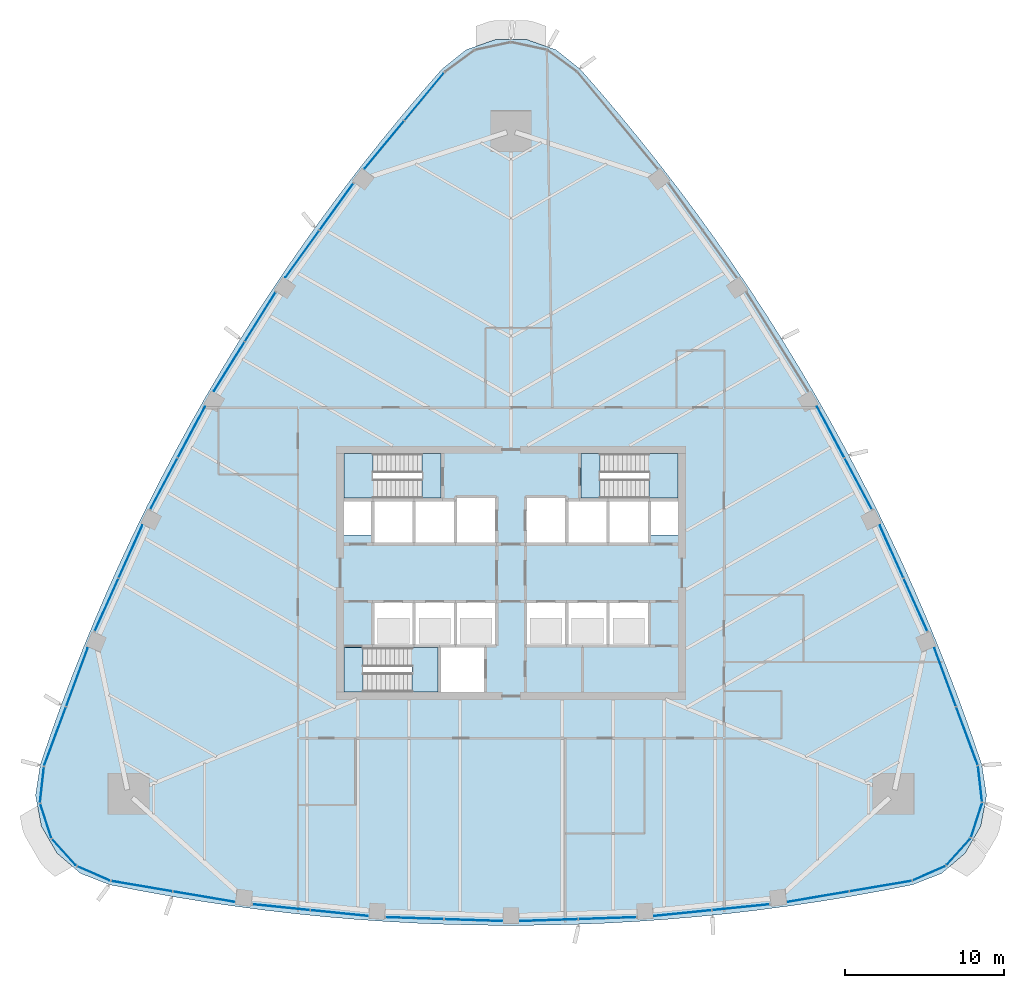
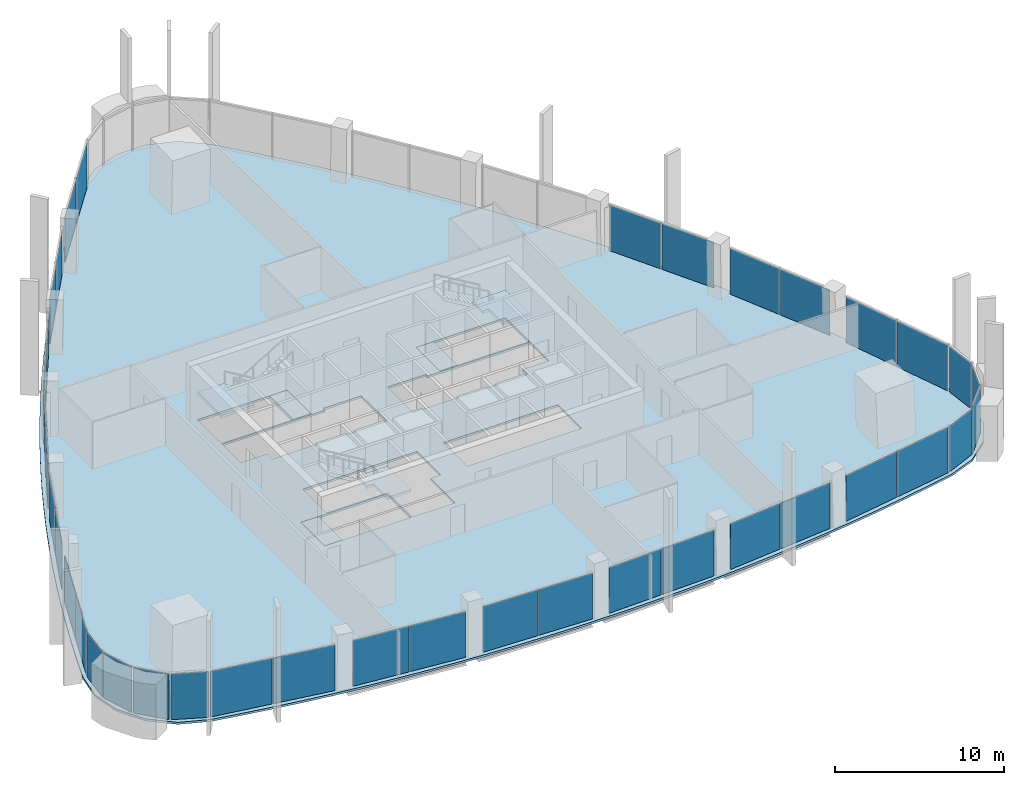
# One storey, part 8 of 20: 38 plates, 7 slabs, 26 elements without a shape of their own.
"""IFC4 building model written with IfcOpenShell, lengths in metres."""

from ifc_helpers import new_model, si_unit, direction, frame, origin, origin_2d, place, context, subcontext, project, spatial, polyline, rectangle, outline, extrude, material, layer, layer_set, type_object, element, aggregate, save


model = new_model("IFC4")

# Units and contexts
model_context = context("Model", 3, precision=1e-05, world=origin(), true_north=direction((0.0, 1.0)))
body_context = subcontext(model_context, "Body", "Model", "MODEL_VIEW")
ifc_project = project(units=[si_unit("LENGTHUNIT", "METRE"), si_unit("AREAUNIT", "SQUARE_METRE"), si_unit("VOLUMEUNIT", "CUBIC_METRE"), si_unit("PLANEANGLEUNIT", "RADIAN"), si_unit("MASSUNIT", "GRAM", prefix="KILO")], contexts=[model_context])

# Site, building, storey
site_placement = place(None, origin())
site = spatial("IfcSite", under=ifc_project, at=site_placement, CompositionType="ELEMENT")
building_placement = place(site_placement, origin())
building = spatial("IfcBuilding", under=site, at=building_placement, Name="Sierra Prisma Convention Tower", CompositionType="ELEMENT")
storey_placement = place(building_placement, frame((0.0, 0.0, 161.800048828125)))
storey = spatial("IfcBuildingStorey", under=building, at=storey_placement, Name="L35", CompositionType="ELEMENT", Elevation=161.800048828125)

# Curtain wall, plates
ifc_material_1 = material(Name="Aluminium and glass curtain wall", Category="aluminium")
ifc_layer_1 = layer(ifc_material_1, 0.179931640625)
ifc_layer_set_1 = layer_set([ifc_layer_1], Name="CW-1 Plain shaft curtain wall")
curtain_wall_type = type_object("IfcCurtainWallType", Name="CW-1 Plain shaft curtain wall", PredefinedType="NOTDEFINED", material=ifc_layer_set_1)
curtain_wall_1_placement = place(storey_placement, origin())
curtain_wall_1 = element("IfcCurtainWall", 1, at=curtain_wall_1_placement, inside=storey, type_object=curtain_wall_type, Name="CW-1 S1 L35", PredefinedType="NOTDEFINED")
ifc_material_2 = material(Name="Tinted glass bronze-grey IGU", Category="glass")
ifc_layer_2 = layer(ifc_material_2, 0.028076171875)
ifc_layer_set_2 = layer_set([ifc_layer_2], Name="CW-1 glass panel")
plate_type = type_object("IfcPlateType", Name="CW-1 glass panel", PredefinedType="CURTAIN_PANEL", material=ifc_layer_set_2)
plate_1_placement = place(storey_placement, frame((-23.224853515625, -19.7060546875, 0.0), z_axis=(0.0, 0.0, 1.0), x_axis=(0.985863940838, -0.167547874218, 0.0)))
plate_1 = element("IfcPlate", 2, at=plate_1_placement, type_object=plate_type, Name="CW-1 panel S1.1", PredefinedType="CURTAIN_PANEL", context=body_context, shape_type="SweptSolid", body=[
    extrude(rectangle(XDim=3.87353515625, YDim=0.028076171875, at=origin_2d()), origin(), (0.0, 0.0, 1.0), 3.280029296875),
])
plate_2_placement = place(storey_placement, frame((-19.337158203125, -20.366943359375, 0.0), z_axis=(0.0, 0.0, 1.0), x_axis=(0.985863940838, -0.167547874218, 0.0)))
plate_2 = element("IfcPlate", 3, at=plate_2_placement, type_object=plate_type, Name="CW-1 panel S1.2", PredefinedType="CURTAIN_PANEL", context=body_context, shape_type="SweptSolid", body=[
    extrude(rectangle(XDim=3.87353515625, YDim=0.028076171875, at=origin_2d()), origin(), (0.0, 0.0, 1.0), 3.280029296875),
])
aggregate(curtain_wall_1, [plate_1, plate_2])

curtain_wall_2_placement = place(storey_placement, origin())
curtain_wall_2 = element("IfcCurtainWall", 4, at=curtain_wall_2_placement, inside=storey, type_object=curtain_wall_type, Name="CW-1 S2 L35", PredefinedType="NOTDEFINED")
plate_3_placement = place(storey_placement, frame((-14.462890625, -21.030517578125, 0.0), z_axis=(0.0, 0.0, 1.0), x_axis=(0.994903318863, -0.100833457322, 0.0)))
plate_3 = element("IfcPlate", 5, at=plate_3_placement, type_object=plate_type, Name="CW-1 panel S2.1", PredefinedType="CURTAIN_PANEL", context=body_context, shape_type="SweptSolid", body=[
    extrude(rectangle(XDim=3.60107421875, YDim=0.028076171875, at=origin_2d()), origin(), (0.0, 0.0, 1.0), 3.280029296875),
])
plate_4_placement = place(storey_placement, frame((-10.810546875, -21.400634765625, 0.0), z_axis=(0.0, 0.0, 1.0), x_axis=(0.994903318863, -0.100833457322, 0.0)))
plate_4 = element("IfcPlate", 6, at=plate_4_placement, type_object=plate_type, Name="CW-1 panel S2.2", PredefinedType="CURTAIN_PANEL", context=body_context, shape_type="SweptSolid", body=[
    extrude(rectangle(XDim=3.60107421875, YDim=0.028076171875, at=origin_2d()), origin(), (0.0, 0.0, 1.0), 3.280029296875),
])
aggregate(curtain_wall_2, [plate_3, plate_4])

curtain_wall_3_placement = place(storey_placement, origin())
curtain_wall_3 = element("IfcCurtainWall", 7, at=curtain_wall_3_placement, inside=storey, type_object=curtain_wall_type, Name="CW-1 S3 L35", PredefinedType="NOTDEFINED")
plate_5_placement = place(storey_placement, frame((-6.062255859375, -21.72021484375, 0.0), z_axis=(0.0, 0.0, 1.0), x_axis=(0.999433273939, -0.033662010401, 0.0)))
plate_5 = element("IfcPlate", 8, at=plate_5_placement, type_object=plate_type, Name="CW-1 panel S3.1", PredefinedType="CURTAIN_PANEL", context=body_context, shape_type="SweptSolid", body=[
    extrude(rectangle(XDim=3.6171875, YDim=0.028076171875, at=origin_2d()), origin(), (0.0, 0.0, 1.0), 3.280029296875),
])
plate_6_placement = place(storey_placement, frame((-2.377197265625, -21.84423828125, 0.0), z_axis=(0.0, 0.0, 1.0), x_axis=(0.999433273939, -0.033662010401, 0.0)))
plate_6 = element("IfcPlate", 9, at=plate_6_placement, type_object=plate_type, Name="CW-1 panel S3.2", PredefinedType="CURTAIN_PANEL", context=body_context, shape_type="SweptSolid", body=[
    extrude(rectangle(XDim=3.6171875, YDim=0.028076171875, at=origin_2d()), origin(), (0.0, 0.0, 1.0), 3.280029296875),
])
aggregate(curtain_wall_3, [plate_5, plate_6])

curtain_wall_4_placement = place(storey_placement, origin())
curtain_wall_4 = element("IfcCurtainWall", 10, at=curtain_wall_4_placement, inside=storey, type_object=curtain_wall_type, Name="CW-1 S4 L35", PredefinedType="NOTDEFINED")
plate_7_placement = place(storey_placement, frame((2.377197265625, -21.84423828125, 0.0), z_axis=(0.0, 0.0, 1.0), x_axis=(0.999433273939, 0.033662010401, 0.0)))
plate_7 = element("IfcPlate", 11, at=plate_7_placement, type_object=plate_type, Name="CW-1 panel S4.1", PredefinedType="CURTAIN_PANEL", context=body_context, shape_type="SweptSolid", body=[
    extrude(rectangle(XDim=3.6171875, YDim=0.028076171875, at=origin_2d()), origin(), (0.0, 0.0, 1.0), 3.280029296875),
])
plate_8_placement = place(storey_placement, frame((6.062255859375, -21.72021484375, 0.0), z_axis=(0.0, 0.0, 1.0), x_axis=(0.999433273939, 0.033662010401, 0.0)))
plate_8 = element("IfcPlate", 12, at=plate_8_placement, type_object=plate_type, Name="CW-1 panel S4.2", PredefinedType="CURTAIN_PANEL", context=body_context, shape_type="SweptSolid", body=[
    extrude(rectangle(XDim=3.6171875, YDim=0.028076171875, at=origin_2d()), origin(), (0.0, 0.0, 1.0), 3.280029296875),
])
aggregate(curtain_wall_4, [plate_7, plate_8])

curtain_wall_5_placement = place(storey_placement, origin())
curtain_wall_5 = element("IfcCurtainWall", 13, at=curtain_wall_5_placement, inside=storey, type_object=curtain_wall_type, Name="CW-1 S5 L35", PredefinedType="NOTDEFINED")
plate_9_placement = place(storey_placement, frame((10.810546875, -21.400634765625, 0.0), z_axis=(0.0, 0.0, 1.0), x_axis=(0.994903318863, 0.100833457322, 0.0)))
plate_9 = element("IfcPlate", 14, at=plate_9_placement, type_object=plate_type, Name="CW-1 panel S5.1", PredefinedType="CURTAIN_PANEL", context=body_context, shape_type="SweptSolid", body=[
    extrude(rectangle(XDim=3.60107421875, YDim=0.028076171875, at=origin_2d()), origin(), (0.0, 0.0, 1.0), 3.280029296875),
])
plate_10_placement = place(storey_placement, frame((14.462890625, -21.030517578125, 0.0), z_axis=(0.0, 0.0, 1.0), x_axis=(0.994903318863, 0.100833457322, 0.0)))
plate_10 = element("IfcPlate", 15, at=plate_10_placement, type_object=plate_type, Name="CW-1 panel S5.2", PredefinedType="CURTAIN_PANEL", context=body_context, shape_type="SweptSolid", body=[
    extrude(rectangle(XDim=3.60107421875, YDim=0.028076171875, at=origin_2d()), origin(), (0.0, 0.0, 1.0), 3.280029296875),
])
aggregate(curtain_wall_5, [plate_9, plate_10])

curtain_wall_6_placement = place(storey_placement, origin())
curtain_wall_6 = element("IfcCurtainWall", 16, at=curtain_wall_6_placement, inside=storey, type_object=curtain_wall_type, Name="CW-1 S6 L35", PredefinedType="NOTDEFINED")
plate_11_placement = place(storey_placement, frame((19.337158203125, -20.366943359375, 0.0), z_axis=(0.0, 0.0, 1.0), x_axis=(0.985863940838, 0.167547874218, 0.0)))
plate_11 = element("IfcPlate", 17, at=plate_11_placement, type_object=plate_type, Name="CW-1 panel S6.1", PredefinedType="CURTAIN_PANEL", context=body_context, shape_type="SweptSolid", body=[
    extrude(rectangle(XDim=3.87353515625, YDim=0.028076171875, at=origin_2d()), origin(), (0.0, 0.0, 1.0), 3.280029296875),
])
plate_12_placement = place(storey_placement, frame((23.224853515625, -19.7060546875, 0.0), z_axis=(0.0, 0.0, 1.0), x_axis=(0.985863940838, 0.167547874218, 0.0)))
plate_12 = element("IfcPlate", 18, at=plate_12_placement, type_object=plate_type, Name="CW-1 panel S6.2", PredefinedType="CURTAIN_PANEL", context=body_context, shape_type="SweptSolid", body=[
    extrude(rectangle(XDim=3.87353515625, YDim=0.028076171875, at=origin_2d()), origin(), (0.0, 0.0, 1.0), 3.280029296875),
])
aggregate(curtain_wall_6, [plate_11, plate_12])

# Curtain wall, plate
curtain_wall_7_placement = place(storey_placement, origin())
curtain_wall_7 = element("IfcCurtainWall", 19, at=curtain_wall_7_placement, inside=storey, type_object=curtain_wall_type, Name="CW-1 SE1 L35", PredefinedType="NOTDEFINED")
plate_13_placement = place(storey_placement, frame((26.274658203125, -18.900146484375, 0.0), z_axis=(0.0, 0.0, 1.0), x_axis=(0.915797586437, 0.401640113381, 0.0)))
plate_13 = element("IfcPlate", 20, at=plate_13_placement, type_object=plate_type, Name="CW-1 panel SE1.1", PredefinedType="CURTAIN_PANEL", context=body_context, shape_type="SweptSolid", body=[
    extrude(rectangle(XDim=2.199951171875, YDim=0.028076171875, at=origin_2d()), origin(), (0.0, 0.0, 1.0), 3.280029296875),
])
aggregate(curtain_wall_7, [plate_13])

curtain_wall_8_placement = place(storey_placement, origin())
curtain_wall_8 = element("IfcCurtainWall", 21, at=curtain_wall_8_placement, inside=storey, type_object=curtain_wall_type, Name="CW-1 SE2 L35", PredefinedType="NOTDEFINED")
plate_14_placement = place(storey_placement, frame((28.130615234375, -17.56201171875, 0.0), z_axis=(0.0, 0.0, 1.0), x_axis=(0.670509710101, 0.741900753916, 0.0)))
plate_14 = element("IfcPlate", 22, at=plate_14_placement, type_object=plate_type, Name="CW-1 panel SE2.1", PredefinedType="CURTAIN_PANEL", context=body_context, shape_type="SweptSolid", body=[
    extrude(rectangle(XDim=2.199951171875, YDim=0.028076171875, at=origin_2d()), origin(), (0.0, 0.0, 1.0), 3.280029296875),
])
aggregate(curtain_wall_8, [plate_14])

curtain_wall_9_placement = place(storey_placement, origin())
curtain_wall_9 = element("IfcCurtainWall", 23, at=curtain_wall_9_placement, inside=storey, type_object=curtain_wall_type, Name="CW-1 SE3 L35", PredefinedType="NOTDEFINED")
plate_15_placement = place(storey_placement, frame((29.2744140625, -15.580810546875, 0.0), z_axis=(0.0, 0.0, 1.0), x_axis=(0.307250044928, 0.951628819389, 0.0)))
plate_15 = element("IfcPlate", 24, at=plate_15_placement, type_object=plate_type, Name="CW-1 panel SE3.1", PredefinedType="CURTAIN_PANEL", context=body_context, shape_type="SweptSolid", body=[
    extrude(rectangle(XDim=2.199951171875, YDim=0.028076171875, at=origin_2d()), origin(), (0.0, 0.0, 1.0), 3.280029296875),
])
aggregate(curtain_wall_9, [plate_15])

curtain_wall_10_placement = place(storey_placement, origin())
curtain_wall_10 = element("IfcCurtainWall", 25, at=curtain_wall_10_placement, inside=storey, type_object=curtain_wall_type, Name="CW-1 SE4 L35", PredefinedType="NOTDEFINED")
plate_16_placement = place(storey_placement, frame((29.505126953125, -13.304443359375, 0.0), z_axis=(0.0, 0.0, 1.0), x_axis=(-0.110068251851, 0.993924031269, 0.0)))
plate_16 = element("IfcPlate", 26, at=plate_16_placement, type_object=plate_type, Name="CW-1 panel SE4.1", PredefinedType="CURTAIN_PANEL", context=body_context, shape_type="SweptSolid", body=[
    extrude(rectangle(XDim=2.199951171875, YDim=0.028076171875, at=origin_2d()), origin(), (0.0, 0.0, 1.0), 3.280029296875),
])
aggregate(curtain_wall_10, [plate_16])

# Curtain wall, plates
curtain_wall_11_placement = place(storey_placement, origin())
curtain_wall_11 = element("IfcCurtainWall", 27, at=curtain_wall_11_placement, inside=storey, type_object=curtain_wall_type, Name="CW-1 NE1 L35", PredefinedType="NOTDEFINED")
plate_17_placement = place(storey_placement, frame((28.678466796875, -10.26025390625, 0.0), z_axis=(0.0, 0.0, 1.0), x_axis=(-0.347831254997, 0.93755715455, 0.0)))
plate_17 = element("IfcPlate", 28, at=plate_17_placement, type_object=plate_type, Name="CW-1 panel NE1.1", PredefinedType="CURTAIN_PANEL", context=body_context, shape_type="SweptSolid", body=[
    extrude(rectangle(XDim=3.87353515625, YDim=0.028076171875, at=origin_2d()), origin(), (0.0, 0.0, 1.0), 3.280029296875),
])
plate_18_placement = place(storey_placement, frame((27.306884765625, -6.56298828125, 0.0), z_axis=(0.0, 0.0, 1.0), x_axis=(-0.347831254997, 0.93755715455, 0.0)))
plate_18 = element("IfcPlate", 29, at=plate_18_placement, type_object=plate_type, Name="CW-1 panel NE1.2", PredefinedType="CURTAIN_PANEL", context=body_context, shape_type="SweptSolid", body=[
    extrude(rectangle(XDim=3.87353515625, YDim=0.028076171875, at=origin_2d()), origin(), (0.0, 0.0, 1.0), 3.280029296875),
])
aggregate(curtain_wall_11, [plate_17, plate_18])

curtain_wall_12_placement = place(storey_placement, origin())
curtain_wall_12 = element("IfcCurtainWall", 30, at=curtain_wall_12_placement, inside=storey, type_object=curtain_wall_type, Name="CW-1 NE2 L35", PredefinedType="NOTDEFINED")
plate_19_placement = place(storey_placement, frame((25.4443359375, -2.01025390625, 0.0), z_axis=(0.0, 0.0, 1.0), x_axis=(-0.410127323839, 0.912028277106, 0.0)))
plate_19 = element("IfcPlate", 31, at=plate_19_placement, type_object=plate_type, Name="CW-1 panel NE2.1", PredefinedType="CURTAIN_PANEL", context=body_context, shape_type="SweptSolid", body=[
    extrude(rectangle(XDim=3.60107421875, YDim=0.028076171875, at=origin_2d()), origin(), (0.0, 0.0, 1.0), 3.280029296875),
])
plate_20_placement = place(storey_placement, frame((23.938720703125, 1.338134765625, 0.0), z_axis=(0.0, 0.0, 1.0), x_axis=(-0.410127323839, 0.912028277106, 0.0)))
plate_20 = element("IfcPlate", 32, at=plate_20_placement, type_object=plate_type, Name="CW-1 panel NE2.2", PredefinedType="CURTAIN_PANEL", context=body_context, shape_type="SweptSolid", body=[
    extrude(rectangle(XDim=3.60107421875, YDim=0.028076171875, at=origin_2d()), origin(), (0.0, 0.0, 1.0), 3.280029296875),
])
aggregate(curtain_wall_12, [plate_19, plate_20])

curtain_wall_13_placement = place(storey_placement, origin())
curtain_wall_13 = element("IfcCurtainWall", 33, at=curtain_wall_13_placement, inside=storey, type_object=curtain_wall_type, Name="CW-1 NE3 L35", PredefinedType="NOTDEFINED")
plate_21_placement = place(storey_placement, frame((21.84130859375, 5.60986328125, 0.0), z_axis=(0.0, 0.0, 1.0), x_axis=(-0.47056448082, 0.882365609819, 0.0)))
plate_21 = element("IfcPlate", 34, at=plate_21_placement, type_object=plate_type, Name="CW-1 panel NE3.1", PredefinedType="CURTAIN_PANEL", context=body_context, shape_type="SweptSolid", body=[
    extrude(rectangle(XDim=3.6171875, YDim=0.028076171875, at=origin_2d()), origin(), (0.0, 0.0, 1.0), 3.280029296875),
])
plate_22_placement = place(storey_placement, frame((20.106201171875, 8.86328125, 0.0), z_axis=(0.0, 0.0, 1.0), x_axis=(-0.47056448082, 0.882365609819, 0.0)))
plate_22 = element("IfcPlate", 35, at=plate_22_placement, type_object=plate_type, Name="CW-1 panel NE3.2", PredefinedType="CURTAIN_PANEL", context=body_context, shape_type="SweptSolid", body=[
    extrude(rectangle(XDim=3.6171875, YDim=0.028076171875, at=origin_2d()), origin(), (0.0, 0.0, 1.0), 3.280029296875),
])
aggregate(curtain_wall_13, [plate_21, plate_22])

curtain_wall_14_placement = place(storey_placement, origin())
curtain_wall_14 = element("IfcCurtainWall", 36, at=curtain_wall_14_placement, inside=storey, type_object=curtain_wall_type, Name="CW-1 NW1 L35", PredefinedType="NOTDEFINED")
plate_23_placement = place(storey_placement, frame((-5.45361328125, 29.96630859375, 0.0), z_axis=(0.0, 0.0, 1.0), x_axis=(-0.638032685842, -0.770009280332, 0.0)))
plate_23 = element("IfcPlate", 37, at=plate_23_placement, type_object=plate_type, Name="CW-1 panel NW1.1", PredefinedType="CURTAIN_PANEL", context=body_context, shape_type="SweptSolid", body=[
    extrude(rectangle(XDim=3.87353515625, YDim=0.028076171875, at=origin_2d()), origin(), (0.0, 0.0, 1.0), 3.280029296875),
])
plate_24_placement = place(storey_placement, frame((-7.9697265625, 26.929931640625, 0.0), z_axis=(0.0, 0.0, 1.0), x_axis=(-0.638032685842, -0.770009280332, 0.0)))
plate_24 = element("IfcPlate", 38, at=plate_24_placement, type_object=plate_type, Name="CW-1 panel NW1.2", PredefinedType="CURTAIN_PANEL", context=body_context, shape_type="SweptSolid", body=[
    extrude(rectangle(XDim=3.87353515625, YDim=0.028076171875, at=origin_2d()), origin(), (0.0, 0.0, 1.0), 3.280029296875),
])
aggregate(curtain_wall_14, [plate_23, plate_24])

curtain_wall_15_placement = place(storey_placement, origin())
curtain_wall_15 = element("IfcCurtainWall", 39, at=curtain_wall_15_placement, inside=storey, type_object=curtain_wall_type, Name="CW-1 NW2 L35", PredefinedType="NOTDEFINED")
plate_25_placement = place(storey_placement, frame((-10.9814453125, 23.04052734375, 0.0), z_axis=(0.0, 0.0, 1.0), x_axis=(-0.584775995024, -0.811194819784, 0.0)))
plate_25 = element("IfcPlate", 40, at=plate_25_placement, type_object=plate_type, Name="CW-1 panel NW2.1", PredefinedType="CURTAIN_PANEL", context=body_context, shape_type="SweptSolid", body=[
    extrude(rectangle(XDim=3.60107421875, YDim=0.028076171875, at=origin_2d()), origin(), (0.0, 0.0, 1.0), 3.280029296875),
])
plate_26_placement = place(storey_placement, frame((-13.128173828125, 20.0625, 0.0), z_axis=(0.0, 0.0, 1.0), x_axis=(-0.584775995024, -0.811194819784, 0.0)))
plate_26 = element("IfcPlate", 41, at=plate_26_placement, type_object=plate_type, Name="CW-1 panel NW2.2", PredefinedType="CURTAIN_PANEL", context=body_context, shape_type="SweptSolid", body=[
    extrude(rectangle(XDim=3.60107421875, YDim=0.028076171875, at=origin_2d()), origin(), (0.0, 0.0, 1.0), 3.280029296875),
])
aggregate(curtain_wall_15, [plate_25, plate_26])

curtain_wall_16_placement = place(storey_placement, origin())
curtain_wall_16 = element("IfcCurtainWall", 42, at=curtain_wall_16_placement, inside=storey, type_object=curtain_wall_type, Name="CW-1 NW3 L35", PredefinedType="NOTDEFINED")
plate_27_placement = place(storey_placement, frame((-15.779052734375, 16.110107421875, 0.0), z_axis=(0.0, 0.0, 1.0), x_axis=(-0.528868793119, -0.848703599418, 0.0)))
plate_27 = element("IfcPlate", 43, at=plate_27_placement, type_object=plate_type, Name="CW-1 panel NW3.1", PredefinedType="CURTAIN_PANEL", context=body_context, shape_type="SweptSolid", body=[
    extrude(rectangle(XDim=3.6171875, YDim=0.028076171875, at=origin_2d()), origin(), (0.0, 0.0, 1.0), 3.280029296875),
])
plate_28_placement = place(storey_placement, frame((-17.72900390625, 12.98095703125, 0.0), z_axis=(0.0, 0.0, 1.0), x_axis=(-0.528868793119, -0.848703599418, 0.0)))
plate_28 = element("IfcPlate", 44, at=plate_28_placement, type_object=plate_type, Name="CW-1 panel NW3.2", PredefinedType="CURTAIN_PANEL", context=body_context, shape_type="SweptSolid", body=[
    extrude(rectangle(XDim=3.6171875, YDim=0.028076171875, at=origin_2d()), origin(), (0.0, 0.0, 1.0), 3.280029296875),
])
aggregate(curtain_wall_16, [plate_27, plate_28])

curtain_wall_17_placement = place(storey_placement, origin())
curtain_wall_17 = element("IfcCurtainWall", 45, at=curtain_wall_17_placement, inside=storey, type_object=curtain_wall_type, Name="CW-1 NW4 L35", PredefinedType="NOTDEFINED")
plate_29_placement = place(storey_placement, frame((-20.106201171875, 8.86328125, 0.0), z_axis=(0.0, 0.0, 1.0), x_axis=(-0.47056448082, -0.882365609819, 0.0)))
plate_29 = element("IfcPlate", 46, at=plate_29_placement, type_object=plate_type, Name="CW-1 panel NW4.1", PredefinedType="CURTAIN_PANEL", context=body_context, shape_type="SweptSolid", body=[
    extrude(rectangle(XDim=3.6171875, YDim=0.028076171875, at=origin_2d()), origin(), (0.0, 0.0, 1.0), 3.280029296875),
])
plate_30_placement = place(storey_placement, frame((-21.84130859375, 5.60986328125, 0.0), z_axis=(0.0, 0.0, 1.0), x_axis=(-0.47056448082, -0.882365609819, 0.0)))
plate_30 = element("IfcPlate", 47, at=plate_30_placement, type_object=plate_type, Name="CW-1 panel NW4.2", PredefinedType="CURTAIN_PANEL", context=body_context, shape_type="SweptSolid", body=[
    extrude(rectangle(XDim=3.6171875, YDim=0.028076171875, at=origin_2d()), origin(), (0.0, 0.0, 1.0), 3.280029296875),
])
aggregate(curtain_wall_17, [plate_29, plate_30])

curtain_wall_18_placement = place(storey_placement, origin())
curtain_wall_18 = element("IfcCurtainWall", 48, at=curtain_wall_18_placement, inside=storey, type_object=curtain_wall_type, Name="CW-1 NW5 L35", PredefinedType="NOTDEFINED")
plate_31_placement = place(storey_placement, frame((-23.938720703125, 1.338134765625, 0.0), z_axis=(0.0, 0.0, 1.0), x_axis=(-0.410127323839, -0.912028277106, 0.0)))
plate_31 = element("IfcPlate", 49, at=plate_31_placement, type_object=plate_type, Name="CW-1 panel NW5.1", PredefinedType="CURTAIN_PANEL", context=body_context, shape_type="SweptSolid", body=[
    extrude(rectangle(XDim=3.60107421875, YDim=0.028076171875, at=origin_2d()), origin(), (0.0, 0.0, 1.0), 3.280029296875),
])
plate_32_placement = place(storey_placement, frame((-25.4443359375, -2.010009765625, 0.0), z_axis=(0.0, 0.0, 1.0), x_axis=(-0.410127323839, -0.912028277106, 0.0)))
plate_32 = element("IfcPlate", 50, at=plate_32_placement, type_object=plate_type, Name="CW-1 panel NW5.2", PredefinedType="CURTAIN_PANEL", context=body_context, shape_type="SweptSolid", body=[
    extrude(rectangle(XDim=3.60107421875, YDim=0.028076171875, at=origin_2d()), origin(), (0.0, 0.0, 1.0), 3.280029296875),
])
aggregate(curtain_wall_18, [plate_31, plate_32])

curtain_wall_19_placement = place(storey_placement, origin())
curtain_wall_19 = element("IfcCurtainWall", 51, at=curtain_wall_19_placement, inside=storey, type_object=curtain_wall_type, Name="CW-1 NW6 L35", PredefinedType="NOTDEFINED")
plate_33_placement = place(storey_placement, frame((-27.306884765625, -6.56298828125, 0.0), z_axis=(0.0, 0.0, 1.0), x_axis=(-0.347831254997, -0.93755715455, 0.0)))
plate_33 = element("IfcPlate", 52, at=plate_33_placement, type_object=plate_type, Name="CW-1 panel NW6.1", PredefinedType="CURTAIN_PANEL", context=body_context, shape_type="SweptSolid", body=[
    extrude(rectangle(XDim=3.87353515625, YDim=0.028076171875, at=origin_2d()), origin(), (0.0, 0.0, 1.0), 3.280029296875),
])
plate_34_placement = place(storey_placement, frame((-28.678466796875, -10.26025390625, 0.0), z_axis=(0.0, 0.0, 1.0), x_axis=(-0.347831254997, -0.93755715455, 0.0)))
plate_34 = element("IfcPlate", 53, at=plate_34_placement, type_object=plate_type, Name="CW-1 panel NW6.2", PredefinedType="CURTAIN_PANEL", context=body_context, shape_type="SweptSolid", body=[
    extrude(rectangle(XDim=3.87353515625, YDim=0.028076171875, at=origin_2d()), origin(), (0.0, 0.0, 1.0), 3.280029296875),
])
aggregate(curtain_wall_19, [plate_33, plate_34])

# Curtain wall, plate
curtain_wall_20_placement = place(storey_placement, origin())
curtain_wall_20 = element("IfcCurtainWall", 54, at=curtain_wall_20_placement, inside=storey, type_object=curtain_wall_type, Name="CW-1 SW1 L35", PredefinedType="NOTDEFINED")
plate_35_placement = place(storey_placement, frame((-29.505126953125, -13.304443359375, 0.0), z_axis=(0.0, 0.0, 1.0), x_axis=(-0.110068251851, -0.993924031269, 0.0)))
plate_35 = element("IfcPlate", 55, at=plate_35_placement, type_object=plate_type, Name="CW-1 panel SW1.1", PredefinedType="CURTAIN_PANEL", context=body_context, shape_type="SweptSolid", body=[
    extrude(rectangle(XDim=2.199951171875, YDim=0.028076171875, at=origin_2d()), origin(), (0.0, 0.0, 1.0), 3.280029296875),
])
aggregate(curtain_wall_20, [plate_35])

curtain_wall_21_placement = place(storey_placement, origin())
curtain_wall_21 = element("IfcCurtainWall", 56, at=curtain_wall_21_placement, inside=storey, type_object=curtain_wall_type, Name="CW-1 SW2 L35", PredefinedType="NOTDEFINED")
plate_36_placement = place(storey_placement, frame((-29.2744140625, -15.580810546875, 0.0), z_axis=(0.0, 0.0, 1.0), x_axis=(0.307250044928, -0.951628819389, 0.0)))
plate_36 = element("IfcPlate", 57, at=plate_36_placement, type_object=plate_type, Name="CW-1 panel SW2.1", PredefinedType="CURTAIN_PANEL", context=body_context, shape_type="SweptSolid", body=[
    extrude(rectangle(XDim=2.199951171875, YDim=0.028076171875, at=origin_2d()), origin(), (0.0, 0.0, 1.0), 3.280029296875),
])
aggregate(curtain_wall_21, [plate_36])

curtain_wall_22_placement = place(storey_placement, origin())
curtain_wall_22 = element("IfcCurtainWall", 58, at=curtain_wall_22_placement, inside=storey, type_object=curtain_wall_type, Name="CW-1 SW3 L35", PredefinedType="NOTDEFINED")
plate_37_placement = place(storey_placement, frame((-28.130615234375, -17.56201171875, 0.0), z_axis=(0.0, 0.0, 1.0), x_axis=(0.670509710101, -0.741900753916, 0.0)))
plate_37 = element("IfcPlate", 59, at=plate_37_placement, type_object=plate_type, Name="CW-1 panel SW3.1", PredefinedType="CURTAIN_PANEL", context=body_context, shape_type="SweptSolid", body=[
    extrude(rectangle(XDim=2.199951171875, YDim=0.028076171875, at=origin_2d()), origin(), (0.0, 0.0, 1.0), 3.280029296875),
])
aggregate(curtain_wall_22, [plate_37])

curtain_wall_23_placement = place(storey_placement, origin())
curtain_wall_23 = element("IfcCurtainWall", 60, at=curtain_wall_23_placement, inside=storey, type_object=curtain_wall_type, Name="CW-1 SW4 L35", PredefinedType="NOTDEFINED")
plate_38_placement = place(storey_placement, frame((-26.274658203125, -18.900146484375, 0.0), z_axis=(0.0, 0.0, 1.0), x_axis=(0.915797586437, -0.401640113381, 0.0)))
plate_38 = element("IfcPlate", 61, at=plate_38_placement, type_object=plate_type, Name="CW-1 panel SW4.1", PredefinedType="CURTAIN_PANEL", context=body_context, shape_type="SweptSolid", body=[
    extrude(rectangle(XDim=2.199951171875, YDim=0.028076171875, at=origin_2d()), origin(), (0.0, 0.0, 1.0), 3.280029296875),
])
aggregate(curtain_wall_23, [plate_38])

# Slab
ifc_material_3 = material(Name="Concrete C35/45", Category="concrete")
ifc_layer_3 = layer(ifc_material_3, 0.14990234375)
ifc_layer_set_3 = layer_set([ifc_layer_3], Name="Composite floor slab 150")
slab_type_1 = type_object("IfcSlabType", Name="Composite floor slab 150", PredefinedType="FLOOR", material=ifc_layer_set_3)
slab_1_placement = place(storey_placement, frame((0.0, 0.0, -0.150146484375)))
element("IfcSlab", 62, at=slab_1_placement, inside=storey, type_object=slab_type_1, Name="Floor slab L35 floor", PredefinedType="FLOOR", context=body_context, shape_type="SweptSolid", body=[
    extrude(outline(polyline([(-25.253173828125, -19.61474609375), (-23.334228515625, -19.992431640625), (-21.40966796875, -20.340087890625), (-19.479736328125, -20.65771484375), (-17.545166015625, -20.9453125), (-15.6064453125, -21.202880859375), (-13.663818359375, -21.430419921875), (-11.718017578125, -21.627685546875), (-9.769287109375, -21.794677734375), (-7.818359375, -21.93115234375), (-5.865478515625, -22.03759765625), (-3.9111328125, -22.113525390625), (-1.955810546875, -22.1591796875), (0.0, -22.17431640625), (1.955810546875, -22.1591796875), (3.9111328125, -22.113525390625), (5.865478515625, -22.03759765625), (7.818359375, -21.93115234375), (9.769287109375, -21.794677734375), (11.718017578125, -21.627685546875), (13.663818359375, -21.430419921875), (15.6064453125, -21.202880859375), (17.545166015625, -20.9453125), (19.479736328125, -20.65771484375), (21.40966796875, -20.340087890625), (23.334228515625, -19.992431640625), (25.253173828125, -19.61474609375), (27.0810546875, -18.90380859375), (28.5693359375, -17.626708984375), (29.5498046875, -15.928466796875), (29.91162109375, -14.0009765625), (29.613525390625, -12.0625), (28.98095703125, -10.2119140625), (28.31982421875, -8.371337890625), (27.6298828125, -6.541015625), (26.911865234375, -4.721923828125), (26.16552734375, -2.9140625), (25.39111328125, -1.1181640625), (24.589111328125, 0.665771484375), (23.75927734375, 2.436767578125), (22.902099609375, 4.19482421875), (22.017822265625, 5.939208984375), (21.1064453125, 7.669677734375), (20.168212890625, 9.3857421875), (19.20361328125, 11.087158203125), (18.21240234375, 12.773193359375), (17.1953125, 14.44384765625), (16.15234375, 16.098388671875), (15.083740234375, 17.736572265625), (13.989990234375, 19.357666015625), (12.87109375, 20.9619140625), (11.727294921875, 22.548583984375), (10.55908203125, 24.116943359375), (9.36669921875, 25.667236328125), (8.150146484375, 27.19873046875), (6.91015625, 28.711181640625), (5.646728515625, 30.204345703125), (4.3603515625, 31.677490234375), (2.83056640625, 32.90478515625), (0.98046875, 33.55517578125), (-0.98046875, 33.55517578125), (-2.83056640625, 32.90478515625), (-4.3603515625, 31.677490234375), (-5.646728515625, 30.204345703125), (-6.91015625, 28.711181640625), (-8.150146484375, 27.19873046875), (-9.36669921875, 25.667236328125), (-10.55908203125, 24.116943359375), (-11.727294921875, 22.548583984375), (-12.87109375, 20.9619140625), (-13.989990234375, 19.357666015625), (-15.083740234375, 17.736572265625), (-16.15234375, 16.098388671875), (-17.1953125, 14.44384765625), (-18.21240234375, 12.773193359375), (-19.20361328125, 11.087158203125), (-20.168212890625, 9.3857421875), (-21.1064453125, 7.669677734375), (-22.017822265625, 5.939208984375), (-22.902099609375, 4.19482421875), (-23.75927734375, 2.436767578125), (-24.589111328125, 0.665771484375), (-25.39111328125, -1.1181640625), (-26.16552734375, -2.9140625), (-26.911865234375, -4.721923828125), (-27.6298828125, -6.541015625), (-28.31982421875, -8.371337890625), (-28.98095703125, -10.2119140625), (-29.613525390625, -12.0625), (-29.91162109375, -14.0009765625), (-29.5498046875, -15.928466796875), (-28.5693359375, -17.626708984375), (-27.0810546875, -18.90380859375), (-25.253173828125, -19.61474609375)]), holes=[polyline([(-4.60009765625, -7.5), (-10.5, -7.5), (-10.5, -4.699951171875), (-4.60009765625, -4.699951171875), (-4.60009765625, -7.5)]), polyline([(-8.699951171875, -4.60009765625), (-8.699951171875, -1.800048828125), (-6.10009765625, -1.800048828125), (-3.5, -1.800048828125), (-0.89990234375, -1.800048828125), (-0.89990234375, -4.60009765625), (-1.60009765625, -4.60009765625), (-1.60009765625, -7.5), (-4.5, -7.5), (-4.5, -4.60009765625), (-6.10009765625, -4.60009765625), (-8.699951171875, -4.60009765625)]), polyline([(-10.5, 4.60009765625), (-8.699951171875, 4.60009765625), (-6.10009765625, 4.60009765625), (-3.5, 4.60009765625), (-3.5, 4.800048828125), (-0.89990234375, 4.800048828125), (-0.89990234375, 1.800048828125), (-3.5, 1.800048828125), (-6.10009765625, 1.800048828125), (-8.699951171875, 1.800048828125), (-8.699951171875, 2.39990234375), (-10.5, 2.39990234375), (-10.5, 4.60009765625)]), polyline([(-10.5, 4.699951171875), (-10.5, 7.5), (-4.39990234375, 7.5), (-4.39990234375, 4.699951171875), (-10.5, 4.699951171875)]), polyline([(6.10009765625, -1.800048828125), (8.699951171875, -1.800048828125), (8.699951171875, -4.60009765625), (6.10009765625, -4.60009765625), (3.5, -4.60009765625), (0.89990234375, -4.60009765625), (0.89990234375, -1.800048828125), (3.5, -1.800048828125), (6.10009765625, -1.800048828125)]), polyline([(8.699951171875, 4.60009765625), (10.5, 4.60009765625), (10.5, 2.39990234375), (8.699951171875, 2.39990234375), (8.699951171875, 1.800048828125), (6.10009765625, 1.800048828125), (3.5, 1.800048828125), (0.89990234375, 1.800048828125), (0.89990234375, 4.800048828125), (3.5, 4.800048828125), (3.5, 4.60009765625), (6.10009765625, 4.60009765625), (8.699951171875, 4.60009765625)]), polyline([(4.39990234375, 4.699951171875), (4.39990234375, 7.5), (10.5, 7.5), (10.5, 4.699951171875), (4.39990234375, 4.699951171875)])]), origin(), (0.0, 0.0, 1.0), 0.150146484375),
])

# Stair, slab
ifc_material_4 = material(Name="Concrete C30/37", Category="concrete")
stair_type = type_object("IfcStairType", Name="Stair dog-leg 1200 RC", PredefinedType="HALF_TURN_STAIR", material=ifc_material_4)
stair_1_placement = place(storey_placement, origin())
stair_1 = element("IfcStair", 63, at=stair_1_placement, inside=storey, type_object=stair_type, Name="L35 S1", PredefinedType="HALF_TURN_STAIR")
ifc_material_5 = material(Name="Concrete C35/45", Category="concrete")
ifc_layer_4 = layer(ifc_material_5, 0.199951171875)
ifc_layer_set_4 = layer_set([ifc_layer_4], Name="Stair landing slab")
slab_type_2 = type_object("IfcSlabType", Name="Stair landing slab", PredefinedType="LANDING", material=ifc_layer_set_4)
slab_2_placement = place(storey_placement, frame((0.0, 0.0, 1.800048828125)))
slab_2 = element("IfcSlab", 64, at=slab_2_placement, type_object=slab_type_2, Name="S1 landing 1", PredefinedType="LANDING", context=body_context, shape_type="SweptSolid", body=[
    extrude(outline(polyline([(-4.60009765625, -4.699951171875), (-4.60009765625, -7.5), (-6.221923828125, -7.5), (-6.221923828125, -5.89990234375), (-6.669921875, -5.89990234375), (-6.669921875, -4.699951171875), (-4.60009765625, -4.699951171875)])), origin(), (0.0, 0.0, 1.0), 0.199951171875),
])
aggregate(stair_1, [slab_2])

# Slab
slab_3_placement = place(storey_placement, frame((0.0, 0.0, -0.199951171875)))
element("IfcSlab", 65, at=slab_3_placement, inside=storey, type_object=slab_type_2, Name="S1 floor landing L35", PredefinedType="LANDING", context=body_context, shape_type="SweptSolid", body=[
    extrude(outline(polyline([(-10.5, -7.5), (-9.298095703125, -7.5), (-9.298095703125, -4.699951171875), (-10.5, -4.699951171875), (-10.5, -7.5)])), origin(), (0.0, 0.0, 1.0), 0.199951171875),
])

# Stair, slab
stair_2_placement = place(storey_placement, origin())
stair_2 = element("IfcStair", 66, at=stair_2_placement, inside=storey, type_object=stair_type, Name="L35 S3", PredefinedType="HALF_TURN_STAIR")
slab_4_placement = place(storey_placement, frame((0.0, 0.0, 1.800048828125)))
slab_4 = element("IfcSlab", 67, at=slab_4_placement, type_object=slab_type_2, Name="S3 landing 1", PredefinedType="LANDING", context=body_context, shape_type="SweptSolid", body=[
    extrude(outline(polyline([(-8.22998046875, 5.89990234375), (-8.22998046875, 4.699951171875), (-10.5, 4.699951171875), (-10.5, 7.5), (-8.677978515625, 7.5), (-8.677978515625, 5.89990234375), (-8.22998046875, 5.89990234375)])), origin(), (0.0, 0.0, 1.0), 0.199951171875),
])
aggregate(stair_2, [slab_4])

# Slab
slab_5_placement = place(storey_placement, frame((0.0, 0.0, -0.199951171875)))
element("IfcSlab", 68, at=slab_5_placement, inside=storey, type_object=slab_type_2, Name="S3 floor landing L35", PredefinedType="LANDING", context=body_context, shape_type="SweptSolid", body=[
    extrude(outline(polyline([(-4.39990234375, 7.5), (-5.60205078125, 7.5), (-5.60205078125, 4.699951171875), (-4.39990234375, 4.699951171875), (-4.39990234375, 7.5)])), origin(), (0.0, 0.0, 1.0), 0.199951171875),
])

# Stair, slab
stair_3_placement = place(storey_placement, origin())
stair_3 = element("IfcStair", 69, at=stair_3_placement, inside=storey, type_object=stair_type, Name="L35 S4", PredefinedType="HALF_TURN_STAIR")
slab_6_placement = place(storey_placement, frame((0.0, 0.0, 1.800048828125)))
slab_6 = element("IfcSlab", 70, at=slab_6_placement, type_object=slab_type_2, Name="S4 landing 1", PredefinedType="LANDING", context=body_context, shape_type="SweptSolid", body=[
    extrude(outline(polyline([(10.5, 7.5), (10.5, 4.699951171875), (8.677978515625, 4.699951171875), (8.677978515625, 6.300048828125), (8.22998046875, 6.300048828125), (8.22998046875, 7.5), (10.5, 7.5)])), origin(), (0.0, 0.0, 1.0), 0.199951171875),
])
aggregate(stair_3, [slab_6])

# Slab
slab_7_placement = place(storey_placement, frame((0.0, 0.0, -0.199951171875)))
element("IfcSlab", 71, at=slab_7_placement, inside=storey, type_object=slab_type_2, Name="S4 floor landing L35", PredefinedType="LANDING", context=body_context, shape_type="SweptSolid", body=[
    extrude(outline(polyline([(4.39990234375, 4.699951171875), (5.60205078125, 4.699951171875), (5.60205078125, 7.5), (4.39990234375, 7.5), (4.39990234375, 4.699951171875)])), origin(), (0.0, 0.0, 1.0), 0.199951171875),
])

save(model, "model.ifc")
